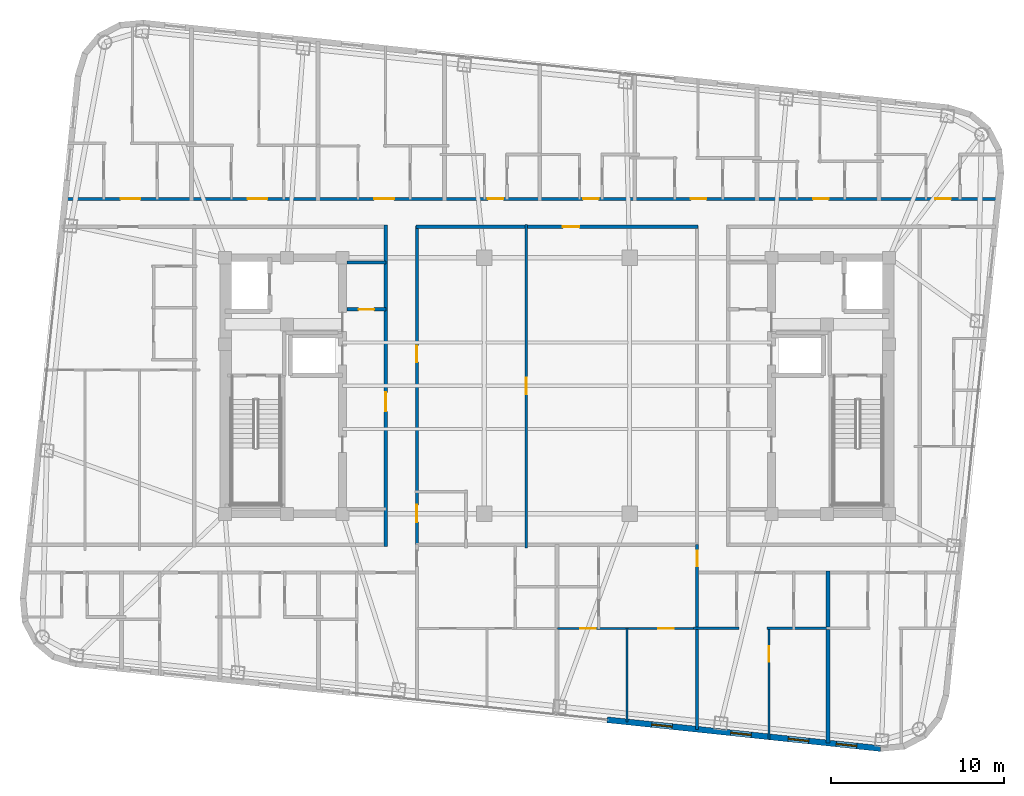
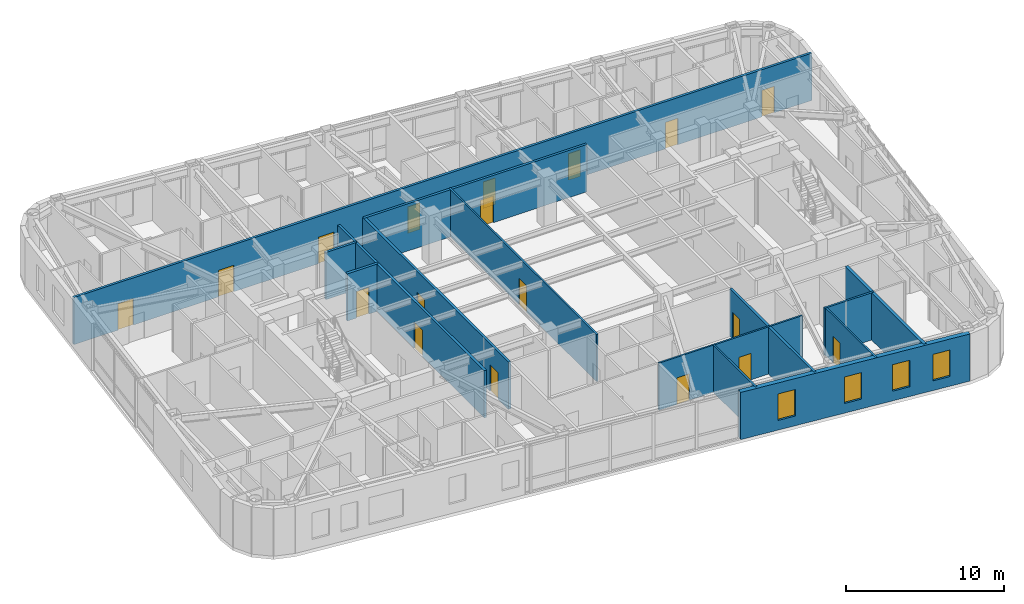
# One storey, part 17 of 23: 18 doors, 15 walls, 4 windows, 22 openings.
"""IFC4 building model written with IfcOpenShell, lengths in metres."""

from ifc_helpers import new_model, si_unit, direction, frame, frame_2d, origin, place, context, subcontext, project, spatial, rectangle, extrude, material, layer, layer_set, type_object, element, fill, save


model = new_model("IFC4")

# Units and contexts
model_context = context("Model", 3, precision=1e-05, world=origin(), true_north=direction((0.0, 1.0)))
body_context = subcontext(model_context, "Body", "Model", "MODEL_VIEW")
ifc_project = project(units=[si_unit("LENGTHUNIT", "METRE"), si_unit("AREAUNIT", "SQUARE_METRE"), si_unit("VOLUMEUNIT", "CUBIC_METRE"), si_unit("PLANEANGLEUNIT", "RADIAN"), si_unit("MASSUNIT", "GRAM", prefix="KILO")], contexts=[model_context])

# Site, building, storey
site_placement = place(None, origin())
site = spatial("IfcSite", under=ifc_project, at=site_placement, CompositionType="ELEMENT")
building_placement = place(site_placement, origin())
building = spatial("IfcBuilding", under=site, at=building_placement, Name="Voryun Gate Residences", CompositionType="ELEMENT")
storey_placement = place(building_placement, frame((0.0, 0.0, 275.60009765625)))
storey = spatial("IfcBuildingStorey", under=building, at=storey_placement, Name="L68", CompositionType="ELEMENT", Elevation=275.60009765625)

# Wall
ifc_material_1 = material(Name="Gypsum acoustic fireboard")
ifc_layer_1 = layer(ifc_material_1, 0.179931640625, Name="W_CORR_RATED_180")
ifc_layer_set_1 = layer_set([ifc_layer_1], Name="Gypsum acoustic fireboard")
wall_type_1 = type_object("IfcWallType", Name="W_CORR_RATED_180", PredefinedType="PARTITIONING", material=ifc_layer_set_1)
wall_1_placement = place(storey_placement, frame((-12.14990234375, 7.1201171875, 0.0), z_axis=(0.0, 0.0, 1.0), x_axis=(1.0, 0.0, 0.0)))
element("IfcWall", 1, at=wall_1_placement, inside=storey, type_object=wall_type_1, Name="Partition wall WP-L68-PLBN-W", PredefinedType="PARTITIONING", context=body_context, shape_type="SweptSolid", body=[
    extrude(rectangle(XDim=2.27001953125, YDim=0.179931640625, at=frame_2d((1.135009765625, 0.0))), origin(), (0.0, 0.0, 1.0), 3.64990234375),
])

# Wall, opening, door
wall_2_placement = place(storey_placement, frame((-9.89990234375, -9.280029296875, 0.0), z_axis=(0.0, 0.0, 1.0), x_axis=(0.0, 1.0, 0.0)))
wall_2 = element("IfcWall", 2, at=wall_2_placement, inside=storey, type_object=wall_type_1, Name="Partition wall WP-L68-PLBW-FULL", PredefinedType="PARTITIONING", context=body_context, shape_type="SweptSolid", body=[
    extrude(rectangle(XDim=18.56005859375, YDim=0.179931640625, at=frame_2d((9.280029296875, 0.0))), origin(), (0.0, 0.0, 1.0), 3.64990234375),
])
opening_1_placement = place(wall_2_placement, frame((7.802001953125, 0.0, 0.0)))
opening_1 = element("IfcOpeningElement", 3, at=opening_1_placement, cuts=wall_2, Name="Opening D-FD60-2", PredefinedType="OPENING", context=body_context, shape_type="SweptSolid", body=[
    extrude(rectangle(XDim=1.10009765625, YDim=2.050048828125, at=frame_2d((0.550048828125, 1.02490234375))), frame((0.0, 0.099853515625, 0.0), z_axis=(0.0, -1.0, 0.0), x_axis=(1.0, 0.0, 0.0)), (0.0, 0.0, 1.0), 0.199951171875),
])
ifc_material_2 = material(Name="Painted steel fire door", Category="steel")
door_type_1 = type_object("IfcDoorType", Name="DR_FD60_FFLOB_1100", OperationType="NOTDEFINED", PredefinedType="DOOR", material=ifc_material_2)
door_1_placement = place(opening_1_placement, origin())
door_1 = element("IfcDoor", 4, at=door_1_placement, inside=storey, type_object=door_type_1, Name="Door DR-L68-PLBW-COR", OperationType="SINGLE_SWING_LEFT", OverallHeight=2.050048828125, OverallWidth=1.10009765625, PredefinedType="DOOR", context=body_context, shape_type="SweptSolid", body=[
    extrude(rectangle(XDim=1.10009765625, YDim=2.050048828125, at=frame_2d((0.550048828125, 1.02490234375))), frame((0.0, 0.02490234375, 0.0), z_axis=(0.0, -1.0, 0.0), x_axis=(1.0, 0.0, 0.0)), (0.0, 0.0, 1.0), 0.050048828125),
])
fill(opening_1, door_1)

wall_3_placement = place(storey_placement, frame((-8.14990234375, 9.18994140625, 0.0), z_axis=(0.0, 0.0, 1.0), x_axis=(1.0, 0.0, 0.0)))
wall_3 = element("IfcWall", 5, at=wall_3_placement, inside=storey, type_object=wall_type_1, Name="Partition wall WP-L68-Z3N", PredefinedType="PARTITIONING", context=body_context, shape_type="SweptSolid", body=[
    extrude(rectangle(XDim=16.2998046875, YDim=0.179931640625, at=frame_2d((8.14990234375, 0.0))), origin(), (0.0, 0.0, 1.0), 3.64990234375),
])
opening_2_placement = place(wall_3_placement, frame((8.489990234375, 0.0, 0.0)))
opening_2 = element("IfcOpeningElement", 6, at=opening_2_placement, cuts=wall_3, Name="Opening D-INT-1", PredefinedType="OPENING", context=body_context, shape_type="SweptSolid", body=[
    extrude(rectangle(XDim=0.949951171875, YDim=2.050048828125, at=frame_2d((0.47509765625, 1.02490234375))), frame((0.0, 0.099853515625, 0.0), z_axis=(0.0, -1.0, 0.0), x_axis=(1.0, 0.0, 0.0)), (0.0, 0.0, 1.0), 0.199951171875),
])
ifc_material_3 = material(Name="Architectural oak veneer")
door_type_2 = type_object("IfcDoorType", Name="DR_INT_ROOM_950", OperationType="NOTDEFINED", PredefinedType="DOOR", material=ifc_material_3)
door_2_placement = place(opening_2_placement, origin())
door_2 = element("IfcDoor", 7, at=door_2_placement, inside=storey, type_object=door_type_2, Name="Door DR-L68-CMIDZ3N", OperationType="SINGLE_SWING_LEFT", OverallHeight=2.050048828125, OverallWidth=0.949951171875, PredefinedType="DOOR", context=body_context, shape_type="SweptSolid", body=[
    extrude(rectangle(XDim=0.949951171875, YDim=2.050048828125, at=frame_2d((0.47509765625, 1.02490234375))), frame((0.0, 0.02490234375, 0.0), z_axis=(0.0, -1.0, 0.0), x_axis=(1.0, 0.0, 0.0)), (0.0, 0.0, 1.0), 0.050048828125),
])
fill(opening_2, door_2)

# Wall, openings, doors
wall_4_placement = place(storey_placement, frame((-8.10009765625, -9.22998046875, 0.0), z_axis=(0.0, 0.0, 1.0), x_axis=(0.0, 1.0, 0.0)))
wall_4 = element("IfcWall", 8, at=wall_4_placement, inside=storey, type_object=wall_type_1, Name="Partition wall WP-L68-Z3W", PredefinedType="PARTITIONING", context=body_context, shape_type="SweptSolid", body=[
    extrude(rectangle(XDim=18.4599609375, YDim=0.179931640625, at=frame_2d((9.22998046875, 0.0))), origin(), (0.0, 0.0, 1.0), 3.64990234375),
])
opening_3_placement = place(wall_4_placement, frame((1.345947265625, 0.0, 0.0)))
opening_3 = element("IfcOpeningElement", 9, at=opening_3_placement, cuts=wall_4, Name="Opening D-AWC-1", PredefinedType="OPENING", context=body_context, shape_type="SweptSolid", body=[
    extrude(rectangle(XDim=1.0, YDim=2.050048828125, at=frame_2d((0.5, 1.02490234375))), frame((0.0, 0.099853515625, 0.0), z_axis=(0.0, -1.0, 0.0), x_axis=(1.0, 0.0, 0.0)), (0.0, 0.0, 1.0), 0.199951171875),
])
opening_4_placement = place(wall_4_placement, frame((10.60107421875, 0.0, 0.0)))
opening_4 = element("IfcOpeningElement", 10, at=opening_4_placement, cuts=wall_4, Name="Opening D-INT-1", PredefinedType="OPENING", context=body_context, shape_type="SweptSolid", body=[
    extrude(rectangle(XDim=0.949951171875, YDim=2.050048828125, at=frame_2d((0.47509765625, 1.02490234375))), frame((0.0, 0.099853515625, 0.0), z_axis=(0.0, -1.0, 0.0), x_axis=(1.0, 0.0, 0.0)), (0.0, 0.0, 1.0), 0.199951171875),
])
ifc_material_4 = material(Name="Architectural oak veneer")
door_type_3 = type_object("IfcDoorType", Name="DR_ACC_WC_1000", OperationType="NOTDEFINED", PredefinedType="DOOR", material=ifc_material_4)
door_3_placement = place(opening_3_placement, origin())
door_3 = element("IfcDoor", 11, at=door_3_placement, inside=storey, type_object=door_type_3, Name="Door DR-L68-CMWC-D", OperationType="SINGLE_SWING_LEFT", OverallHeight=2.050048828125, OverallWidth=1.0, PredefinedType="DOOR", context=body_context, shape_type="SweptSolid", body=[
    extrude(rectangle(XDim=1.0, YDim=2.050048828125, at=frame_2d((0.5, 1.02490234375))), frame((0.0, 0.02490234375, 0.0), z_axis=(0.0, -1.0, 0.0), x_axis=(1.0, 0.0, 0.0)), (0.0, 0.0, 1.0), 0.050048828125),
])
fill(opening_3, door_3)
door_4_placement = place(opening_4_placement, origin())
door_4 = element("IfcDoor", 12, at=door_4_placement, inside=storey, type_object=door_type_2, Name="Door DR-L68-CMIDZ3W", OperationType="SINGLE_SWING_RIGHT", OverallHeight=2.050048828125, OverallWidth=0.949951171875, PredefinedType="DOOR", context=body_context, shape_type="SweptSolid", body=[
    extrude(rectangle(XDim=0.949951171875, YDim=2.050048828125, at=frame_2d((0.47509765625, 1.02490234375))), frame((0.0, 0.02490234375, 0.0), z_axis=(0.0, -1.0, 0.0), x_axis=(1.0, 0.0, 0.0)), (0.0, 0.0, 1.0), 0.050048828125),
])
fill(opening_4, door_4)

wall_5_placement = place(storey_placement, frame((-28.442626953125, 10.800048828125, 0.0), z_axis=(0.0, 0.0, 1.0), x_axis=(1.0, 0.0, 0.0)))
wall_5 = element("IfcWall", 13, at=wall_5_placement, inside=storey, type_object=wall_type_1, Name="Partition wall WP-L68-NCORR", PredefinedType="PARTITIONING", context=body_context, shape_type="SweptSolid", body=[
    extrude(rectangle(XDim=53.95556640625, YDim=0.179931640625, at=frame_2d((26.977783203125, 0.0))), origin(), (0.0, 0.0, 1.0), 3.64990234375),
])
opening_5_placement = place(wall_5_placement, frame((3.212646484375, 0.0, 0.0)))
opening_5 = element("IfcOpeningElement", 14, at=opening_5_placement, cuts=wall_5, Name="Opening D-UNIT-1", PredefinedType="OPENING", context=body_context, shape_type="SweptSolid", body=[
    extrude(rectangle(XDim=1.14990234375, YDim=2.050048828125, at=frame_2d((0.574951171875, 1.02490234375))), frame((0.0, 0.099853515625, 0.0), z_axis=(0.0, -1.0, 0.0), x_axis=(1.0, 0.0, 0.0)), (0.0, 0.0, 1.0), 0.199951171875),
])
opening_6_placement = place(wall_5_placement, frame((10.555908203125, 0.0, 0.0)))
opening_6 = element("IfcOpeningElement", 15, at=opening_6_placement, cuts=wall_5, Name="Opening D-UNIT-1", PredefinedType="OPENING", context=body_context, shape_type="SweptSolid", body=[
    extrude(rectangle(XDim=1.14990234375, YDim=2.050048828125, at=frame_2d((0.574951171875, 1.02490234375))), frame((0.0, 0.099853515625, 0.0), z_axis=(0.0, -1.0, 0.0), x_axis=(1.0, 0.0, 0.0)), (0.0, 0.0, 1.0), 0.199951171875),
])
opening_7_placement = place(wall_5_placement, frame((17.872314453125, 0.0, 0.0)))
opening_7 = element("IfcOpeningElement", 16, at=opening_7_placement, cuts=wall_5, Name="Opening D-UNIT-1", PredefinedType="OPENING", context=body_context, shape_type="SweptSolid", body=[
    extrude(rectangle(XDim=1.14990234375, YDim=2.050048828125, at=frame_2d((0.574951171875, 1.02490234375))), frame((0.0, 0.099853515625, 0.0), z_axis=(0.0, -1.0, 0.0), x_axis=(1.0, 0.0, 0.0)), (0.0, 0.0, 1.0), 0.199951171875),
])
opening_8_placement = place(wall_5_placement, frame((24.450439453125, 0.0, 0.0)))
opening_8 = element("IfcOpeningElement", 17, at=opening_8_placement, cuts=wall_5, Name="Opening D-INT-2", PredefinedType="OPENING", context=body_context, shape_type="SweptSolid", body=[
    extrude(rectangle(XDim=0.89990234375, YDim=2.050048828125, at=frame_2d((0.449951171875, 1.02490234375))), frame((0.0, 0.099853515625, 0.0), z_axis=(0.0, -1.0, 0.0), x_axis=(1.0, 0.0, 0.0)), (0.0, 0.0, 1.0), 0.199951171875),
])
opening_9_placement = place(wall_5_placement, frame((29.9541015625, 0.0, 0.0)))
opening_9 = element("IfcOpeningElement", 18, at=opening_9_placement, cuts=wall_5, Name="Opening D-INT-2", PredefinedType="OPENING", context=body_context, shape_type="SweptSolid", body=[
    extrude(rectangle(XDim=0.89990234375, YDim=2.050048828125, at=frame_2d((0.449951171875, 1.02490234375))), frame((0.0, 0.099853515625, 0.0), z_axis=(0.0, -1.0, 0.0), x_axis=(1.0, 0.0, 0.0)), (0.0, 0.0, 1.0), 0.199951171875),
])
opening_10_placement = place(wall_5_placement, frame((36.185791015625, 0.0, 0.0)))
opening_10 = element("IfcOpeningElement", 19, at=opening_10_placement, cuts=wall_5, Name="Opening D-INT-2", PredefinedType="OPENING", context=body_context, shape_type="SweptSolid", body=[
    extrude(rectangle(XDim=0.89990234375, YDim=2.050048828125, at=frame_2d((0.449951171875, 1.02490234375))), frame((0.0, 0.099853515625, 0.0), z_axis=(0.0, -1.0, 0.0), x_axis=(1.0, 0.0, 0.0)), (0.0, 0.0, 1.0), 0.199951171875),
])
opening_11_placement = place(wall_5_placement, frame((43.24853515625, 0.0, 0.0)))
opening_11 = element("IfcOpeningElement", 20, at=opening_11_placement, cuts=wall_5, Name="Opening D-INT-2", PredefinedType="OPENING", context=body_context, shape_type="SweptSolid", body=[
    extrude(rectangle(XDim=0.89990234375, YDim=2.050048828125, at=frame_2d((0.449951171875, 1.02490234375))), frame((0.0, 0.099853515625, 0.0), z_axis=(0.0, -1.0, 0.0), x_axis=(1.0, 0.0, 0.0)), (0.0, 0.0, 1.0), 0.199951171875),
])
opening_12_placement = place(wall_5_placement, frame((50.311279296875, 0.0, 0.0)))
opening_12 = element("IfcOpeningElement", 21, at=opening_12_placement, cuts=wall_5, Name="Opening D-INT-2", PredefinedType="OPENING", context=body_context, shape_type="SweptSolid", body=[
    extrude(rectangle(XDim=0.89990234375, YDim=2.050048828125, at=frame_2d((0.449951171875, 1.02490234375))), frame((0.0, 0.099853515625, 0.0), z_axis=(0.0, -1.0, 0.0), x_axis=(1.0, 0.0, 0.0)), (0.0, 0.0, 1.0), 0.199951171875),
])
ifc_material_5 = material(Name="Architectural oak veneer")
door_type_4 = type_object("IfcDoorType", Name="DR_INT_BATH_900", OperationType="NOTDEFINED", PredefinedType="DOOR", material=ifc_material_5)
door_5_placement = place(opening_8_placement, origin())
door_5 = element("IfcDoor", 22, at=door_5_placement, inside=storey, type_object=door_type_4, Name="Door DR-L68-NENT-4", OperationType="SINGLE_SWING_RIGHT", OverallHeight=2.050048828125, OverallWidth=0.89990234375, PredefinedType="DOOR", context=body_context, shape_type="SweptSolid", body=[
    extrude(rectangle(XDim=0.89990234375, YDim=2.050048828125, at=frame_2d((0.449951171875, 1.02490234375))), frame((0.0, 0.02490234375, 0.0), z_axis=(0.0, -1.0, 0.0), x_axis=(1.0, 0.0, 0.0)), (0.0, 0.0, 1.0), 0.050048828125),
])
fill(opening_8, door_5)
door_6_placement = place(opening_9_placement, origin())
door_6 = element("IfcDoor", 23, at=door_6_placement, inside=storey, type_object=door_type_4, Name="Door DR-L68-NENT-5", OperationType="SINGLE_SWING_LEFT", OverallHeight=2.050048828125, OverallWidth=0.89990234375, PredefinedType="DOOR", context=body_context, shape_type="SweptSolid", body=[
    extrude(rectangle(XDim=0.89990234375, YDim=2.050048828125, at=frame_2d((0.449951171875, 1.02490234375))), frame((0.0, 0.02490234375, 0.0), z_axis=(0.0, -1.0, 0.0), x_axis=(1.0, 0.0, 0.0)), (0.0, 0.0, 1.0), 0.050048828125),
])
fill(opening_9, door_6)
door_7_placement = place(opening_10_placement, origin())
door_7 = element("IfcDoor", 24, at=door_7_placement, inside=storey, type_object=door_type_4, Name="Door DR-L68-NENT-6", OperationType="SINGLE_SWING_RIGHT", OverallHeight=2.050048828125, OverallWidth=0.89990234375, PredefinedType="DOOR", context=body_context, shape_type="SweptSolid", body=[
    extrude(rectangle(XDim=0.89990234375, YDim=2.050048828125, at=frame_2d((0.449951171875, 1.02490234375))), frame((0.0, 0.02490234375, 0.0), z_axis=(0.0, -1.0, 0.0), x_axis=(1.0, 0.0, 0.0)), (0.0, 0.0, 1.0), 0.050048828125),
])
fill(opening_10, door_7)
door_8_placement = place(opening_11_placement, origin())
door_8 = element("IfcDoor", 25, at=door_8_placement, inside=storey, type_object=door_type_4, Name="Door DR-L68-NENT-7", OperationType="SINGLE_SWING_LEFT", OverallHeight=2.050048828125, OverallWidth=0.89990234375, PredefinedType="DOOR", context=body_context, shape_type="SweptSolid", body=[
    extrude(rectangle(XDim=0.89990234375, YDim=2.050048828125, at=frame_2d((0.449951171875, 1.02490234375))), frame((0.0, 0.02490234375, 0.0), z_axis=(0.0, -1.0, 0.0), x_axis=(1.0, 0.0, 0.0)), (0.0, 0.0, 1.0), 0.050048828125),
])
fill(opening_11, door_8)
door_9_placement = place(opening_12_placement, origin())
door_9 = element("IfcDoor", 26, at=door_9_placement, inside=storey, type_object=door_type_4, Name="Door DR-L68-NENT-8", OperationType="SINGLE_SWING_RIGHT", OverallHeight=2.050048828125, OverallWidth=0.89990234375, PredefinedType="DOOR", context=body_context, shape_type="SweptSolid", body=[
    extrude(rectangle(XDim=0.89990234375, YDim=2.050048828125, at=frame_2d((0.449951171875, 1.02490234375))), frame((0.0, 0.02490234375, 0.0), z_axis=(0.0, -1.0, 0.0), x_axis=(1.0, 0.0, 0.0)), (0.0, 0.0, 1.0), 0.050048828125),
])
fill(opening_12, door_9)
ifc_material_6 = material(Name="Armoured timber-clad fire door", Category="wood")
door_type_5 = type_object("IfcDoorType", Name="DR_UNIT_ENTRY_1150", OperationType="NOTDEFINED", PredefinedType="DOOR", material=ifc_material_6)
door_10_placement = place(opening_5_placement, origin())
door_10 = element("IfcDoor", 27, at=door_10_placement, inside=storey, type_object=door_type_5, Name="Door DR-L68-NENT-1", OperationType="SINGLE_SWING_LEFT", OverallHeight=2.050048828125, OverallWidth=1.14990234375, PredefinedType="DOOR", context=body_context, shape_type="SweptSolid", body=[
    extrude(rectangle(XDim=1.14990234375, YDim=2.050048828125, at=frame_2d((0.574951171875, 1.02490234375))), frame((0.0, 0.02490234375, 0.0), z_axis=(0.0, -1.0, 0.0), x_axis=(1.0, 0.0, 0.0)), (0.0, 0.0, 1.0), 0.050048828125),
])
fill(opening_5, door_10)
door_11_placement = place(opening_6_placement, origin())
door_11 = element("IfcDoor", 28, at=door_11_placement, inside=storey, type_object=door_type_5, Name="Door DR-L68-NENT-2", OperationType="SINGLE_SWING_RIGHT", OverallHeight=2.050048828125, OverallWidth=1.14990234375, PredefinedType="DOOR", context=body_context, shape_type="SweptSolid", body=[
    extrude(rectangle(XDim=1.14990234375, YDim=2.050048828125, at=frame_2d((0.574951171875, 1.02490234375))), frame((0.0, 0.02490234375, 0.0), z_axis=(0.0, -1.0, 0.0), x_axis=(1.0, 0.0, 0.0)), (0.0, 0.0, 1.0), 0.050048828125),
])
fill(opening_6, door_11)
door_12_placement = place(opening_7_placement, origin())
door_12 = element("IfcDoor", 29, at=door_12_placement, inside=storey, type_object=door_type_5, Name="Door DR-L68-NENT-3", OperationType="SINGLE_SWING_LEFT", OverallHeight=2.050048828125, OverallWidth=1.14990234375, PredefinedType="DOOR", context=body_context, shape_type="SweptSolid", body=[
    extrude(rectangle(XDim=1.14990234375, YDim=2.050048828125, at=frame_2d((0.574951171875, 1.02490234375))), frame((0.0, 0.02490234375, 0.0), z_axis=(0.0, -1.0, 0.0), x_axis=(1.0, 0.0, 0.0)), (0.0, 0.0, 1.0), 0.050048828125),
])
fill(opening_7, door_12)

# Wall, opening, door
wall_6_placement = place(storey_placement, frame((8.10009765625, -19.857177734375, 0.0), z_axis=(0.0, 0.0, 1.0), x_axis=(0.0, 1.0, 0.0)))
wall_6 = element("IfcWall", 30, at=wall_6_placement, inside=storey, type_object=wall_type_1, Name="Partition wall WP-L68-SZV-2", PredefinedType="PARTITIONING", context=body_context, shape_type="SweptSolid", body=[
    extrude(rectangle(XDim=10.667236328125, YDim=0.179931640625, at=frame_2d((5.33349609375, 0.0))), origin(), (0.0, 0.0, 1.0), 3.64990234375),
])
opening_13_placement = place(wall_6_placement, frame((9.417236328125, 0.0, 0.0)))
opening_13 = element("IfcOpeningElement", 31, at=opening_13_placement, cuts=wall_6, Name="Opening D-INT-2", PredefinedType="OPENING", context=body_context, shape_type="SweptSolid", body=[
    extrude(rectangle(XDim=0.89990234375, YDim=2.050048828125, at=frame_2d((0.449951171875, 1.02490234375))), frame((0.0, 0.099853515625, 0.0), z_axis=(0.0, -1.0, 0.0), x_axis=(1.0, 0.0, 0.0)), (0.0, 0.0, 1.0), 0.199951171875),
])
door_13_placement = place(opening_13_placement, origin())
door_13 = element("IfcDoor", 32, at=door_13_placement, inside=storey, type_object=door_type_4, Name="Door DR-L68-SZENT-2", OperationType="SINGLE_SWING_RIGHT", OverallHeight=2.050048828125, OverallWidth=0.89990234375, PredefinedType="DOOR", context=body_context, shape_type="SweptSolid", body=[
    extrude(rectangle(XDim=0.89990234375, YDim=2.050048828125, at=frame_2d((0.449951171875, 1.02490234375))), frame((0.0, 0.02490234375, 0.0), z_axis=(0.0, -1.0, 0.0), x_axis=(1.0, 0.0, 0.0)), (0.0, 0.0, 1.0), 0.050048828125),
])
fill(opening_13, door_13)

# Wall, openings, windows
ifc_material_7 = material(Name="Charcoal terracotta masonry", Category="masonry")
ifc_layer_2 = layer(ifc_material_7, 0.340087890625, Name="W_EXT_TERRACOTTA_340")
ifc_layer_set_2 = layer_set([ifc_layer_2], Name="Charcoal terracotta masonry")
wall_type_2 = type_object("IfcWallType", Name="W_EXT_TERRACOTTA_340", PredefinedType="ELEMENTEDWALL", material=ifc_layer_set_2)
wall_7_placement = place(storey_placement, frame((18.707763671875, -20.97216796875, 0.0), z_axis=(0.0, 0.0, 1.0), x_axis=(-0.994521594531, 0.104531325504, 0.0)))
wall_7 = element("IfcWall", 33, at=wall_7_placement, inside=storey, type_object=wall_type_2, Name="Exterior wall WEXT-L68-01A", PredefinedType="ELEMENTEDWALL", context=body_context, shape_type="SweptSolid", body=[
    extrude(rectangle(XDim=15.900634765625, YDim=0.340087890625, at=frame_2d((7.9501953125, 0.0))), origin(), (0.0, 0.0, 1.0), 3.64990234375),
])
opening_14_placement = place(wall_7_placement, frame((7.510009765625, 0.0, 0.75)))
opening_14 = element("IfcOpeningElement", 34, at=opening_14_placement, cuts=wall_7, Name="Opening WN6", PredefinedType="OPENING", context=body_context, shape_type="SweptSolid", body=[
    extrude(rectangle(XDim=1.199951171875, YDim=2.050048828125, at=frame_2d((0.60009765625, 1.02490234375))), frame((0.0, 0.179931640625, 0.0), z_axis=(0.0, -1.0, 0.0), x_axis=(1.0, 0.0, 0.0)), (0.0, 0.0, 1.0), 0.360107421875),
])
opening_15_placement = place(wall_7_placement, frame((4.17724609375, 0.0, 0.75)))
opening_15 = element("IfcOpeningElement", 35, at=opening_15_placement, cuts=wall_7, Name="Opening WN6", PredefinedType="OPENING", context=body_context, shape_type="SweptSolid", body=[
    extrude(rectangle(XDim=1.199951171875, YDim=2.050048828125, at=frame_2d((0.60009765625, 1.02490234375))), frame((0.0, 0.179931640625, 0.0), z_axis=(0.0, -1.0, 0.0), x_axis=(1.0, 0.0, 0.0)), (0.0, 0.0, 1.0), 0.360107421875),
])
opening_16_placement = place(wall_7_placement, frame((1.377685546875, 0.0, 0.75)))
opening_16 = element("IfcOpeningElement", 36, at=opening_16_placement, cuts=wall_7, Name="Opening WN6", PredefinedType="OPENING", context=body_context, shape_type="SweptSolid", body=[
    extrude(rectangle(XDim=1.199951171875, YDim=2.050048828125, at=frame_2d((0.60009765625, 1.02490234375))), frame((0.0, 0.179931640625, 0.0), z_axis=(0.0, -1.0, 0.0), x_axis=(1.0, 0.0, 0.0)), (0.0, 0.0, 1.0), 0.360107421875),
])
opening_17_placement = place(wall_7_placement, frame((12.109619140625, 0.0, 0.75)))
opening_17 = element("IfcOpeningElement", 37, at=opening_17_placement, cuts=wall_7, Name="Opening WN6", PredefinedType="OPENING", context=body_context, shape_type="SweptSolid", body=[
    extrude(rectangle(XDim=1.199951171875, YDim=2.050048828125, at=frame_2d((0.60009765625, 1.02490234375))), frame((0.0, 0.179931640625, 0.0), z_axis=(0.0, -1.0, 0.0), x_axis=(1.0, 0.0, 0.0)), (0.0, 0.0, 1.0), 0.360107421875),
])
ifc_material_8 = material(Name="Laminated low-E glass", Category="glass")
window_type = type_object("IfcWindowType", Name="WN_POD_SLOT_1200", PartitioningType="SINGLE_PANEL", PredefinedType="WINDOW", material=ifc_material_8)
window_1_placement = place(opening_14_placement, origin())
window_1 = element("IfcWindow", 38, at=window_1_placement, inside=storey, type_object=window_type, Name="Window WN-L68-DWFIX-14", OverallHeight=2.050048828125, OverallWidth=1.199951171875, PartitioningType="SINGLE_PANEL", PredefinedType="WINDOW", context=body_context, shape_type="SweptSolid", body=[
    extrude(rectangle(XDim=1.199951171875, YDim=2.050048828125, at=frame_2d((0.60009765625, 1.02490234375))), frame((0.0, 0.030029296875, 0.0), z_axis=(0.0, -1.0, 0.0), x_axis=(1.0, 0.0, 0.0)), (0.0, 0.0, 1.0), 0.06005859375),
])
fill(opening_14, window_1)
window_2_placement = place(opening_15_placement, origin())
window_2 = element("IfcWindow", 39, at=window_2_placement, inside=storey, type_object=window_type, Name="Window WN-L68-DWFIX-15", OverallHeight=2.050048828125, OverallWidth=1.199951171875, PartitioningType="SINGLE_PANEL", PredefinedType="WINDOW", context=body_context, shape_type="SweptSolid", body=[
    extrude(rectangle(XDim=1.199951171875, YDim=2.050048828125, at=frame_2d((0.60009765625, 1.02490234375))), frame((0.0, 0.030029296875, 0.0), z_axis=(0.0, -1.0, 0.0), x_axis=(1.0, 0.0, 0.0)), (0.0, 0.0, 1.0), 0.06005859375),
])
fill(opening_15, window_2)
window_3_placement = place(opening_16_placement, origin())
window_3 = element("IfcWindow", 40, at=window_3_placement, inside=storey, type_object=window_type, Name="Window WN-L68-DWFIX-16", OverallHeight=2.050048828125, OverallWidth=1.199951171875, PartitioningType="SINGLE_PANEL", PredefinedType="WINDOW", context=body_context, shape_type="SweptSolid", body=[
    extrude(rectangle(XDim=1.199951171875, YDim=2.050048828125, at=frame_2d((0.60009765625, 1.02490234375))), frame((0.0, 0.030029296875, 0.0), z_axis=(0.0, -1.0, 0.0), x_axis=(1.0, 0.0, 0.0)), (0.0, 0.0, 1.0), 0.06005859375),
])
fill(opening_16, window_3)
window_4_placement = place(opening_17_placement, origin())
window_4 = element("IfcWindow", 41, at=window_4_placement, inside=storey, type_object=window_type, Name="Window WN-L68-DWFIX-18", OverallHeight=2.050048828125, OverallWidth=1.199951171875, PartitioningType="SINGLE_PANEL", PredefinedType="WINDOW", context=body_context, shape_type="SweptSolid", body=[
    extrude(rectangle(XDim=1.199951171875, YDim=2.050048828125, at=frame_2d((0.60009765625, 1.02490234375))), frame((0.0, 0.030029296875, 0.0), z_axis=(0.0, -1.0, 0.0), x_axis=(1.0, 0.0, 0.0)), (0.0, 0.0, 1.0), 0.06005859375),
])
fill(opening_17, window_4)

# Wall, opening, door
ifc_material_9 = material(Name="Concrete C40/50", Category="concrete")
ifc_layer_3 = layer(ifc_material_9, 0.199951171875, Name="W_FF_LOBBY_200")
ifc_layer_set_3 = layer_set([ifc_layer_3], Name="Concrete C40/50")
wall_type_3 = type_object("IfcWallType", Name="W_FF_LOBBY_200", PredefinedType="PARTITIONING", material=ifc_layer_set_3)
wall_8_placement = place(storey_placement, frame((-12.14990234375, 4.409912109375, 0.0), z_axis=(0.0, 0.0, 1.0), x_axis=(1.0, 0.0, 0.0)))
wall_8 = element("IfcWall", 42, at=wall_8_placement, inside=storey, type_object=wall_type_3, Name="Partition wall WP-L68-CSFLKS-W", PredefinedType="PARTITIONING", context=body_context, shape_type="SweptSolid", body=[
    extrude(rectangle(XDim=2.27001953125, YDim=0.199951171875, at=frame_2d((1.135009765625, 0.0))), origin(), (0.0, 0.0, 1.0), 3.64990234375),
])
opening_18_placement = place(wall_8_placement, frame((0.68505859375, 0.0, 0.0)))
opening_18 = element("IfcOpeningElement", 43, at=opening_18_placement, cuts=wall_8, Name="Opening D-FD60-4", PredefinedType="OPENING", context=body_context, shape_type="SweptSolid", body=[
    extrude(rectangle(XDim=0.89990234375, YDim=2.050048828125, at=frame_2d((0.449951171875, 1.02490234375))), frame((0.0, 0.110107421875, 0.0), z_axis=(0.0, -1.0, 0.0), x_axis=(1.0, 0.0, 0.0)), (0.0, 0.0, 1.0), 0.219970703125),
])
ifc_material_10 = material(Name="Painted steel fire door", Category="steel")
door_type_6 = type_object("IfcDoorType", Name="DR_FD60_RISER_900", OperationType="NOTDEFINED", PredefinedType="DOOR", material=ifc_material_10)
door_14_placement = place(opening_18_placement, origin())
door_14 = element("IfcDoor", 44, at=door_14_placement, inside=storey, type_object=door_type_6, Name="Door DR-L68-CSFLK-W", OperationType="SINGLE_SWING_LEFT", OverallHeight=2.050048828125, OverallWidth=0.89990234375, PredefinedType="DOOR", context=body_context, shape_type="SweptSolid", body=[
    extrude(rectangle(XDim=0.89990234375, YDim=2.050048828125, at=frame_2d((0.449951171875, 1.02490234375))), frame((0.0, 0.02490234375, 0.0), z_axis=(0.0, -1.0, 0.0), x_axis=(1.0, 0.0, 0.0)), (0.0, 0.0, 1.0), 0.050048828125),
])
fill(opening_18, door_14)

# Wall
ifc_material_11 = material(Name="Concrete C40/50", Category="concrete")
ifc_layer_4 = layer(ifc_material_11, 0.219970703125, Name="W_PARTY_ACOUSTIC_220")
ifc_layer_set_4 = layer_set([ifc_layer_4], Name="Concrete C40/50")
wall_type_4 = type_object("IfcWallType", Name="W_PARTY_ACOUSTIC_220", PredefinedType="PARTITIONING", material=ifc_layer_set_4)
wall_9_placement = place(storey_placement, frame((15.6640625, -20.652099609375, 0.0), z_axis=(0.0, 0.0, 1.0), x_axis=(0.0, 1.0, 0.0)))
element("IfcWall", 45, at=wall_9_placement, inside=storey, type_object=wall_type_4, Name="Partition wall WP-L68-SPTY-6", PredefinedType="PARTITIONING", context=body_context, shape_type="SweptSolid", body=[
    extrude(rectangle(XDim=9.93212890625, YDim=0.219970703125, at=frame_2d((4.966064453125, 0.0))), origin(), (0.0, 0.0, 1.0), 3.64990234375),
])

# Wall, opening, door
ifc_material_12 = material(Name="Gypsum acoustic partition")
ifc_layer_5 = layer(ifc_material_12, 0.125, Name="W_UNIT_PART_125")
ifc_layer_set_5 = layer_set([ifc_layer_5], Name="Gypsum acoustic partition")
wall_type_5 = type_object("IfcWallType", Name="W_UNIT_PART_125", PredefinedType="PARTITIONING", material=ifc_layer_set_5)
wall_10_placement = place(storey_placement, frame((-1.77294921875, -9.3701171875, 0.0), z_axis=(0.0, 0.0, 1.0), x_axis=(0.0, 1.0, 0.0)))
wall_10 = element("IfcWall", 46, at=wall_10_placement, inside=storey, type_object=wall_type_5, Name="Partition wall WP-L68-MIDX-0", PredefinedType="PARTITIONING", context=body_context, shape_type="SweptSolid", body=[
    extrude(rectangle(XDim=18.690185546875, YDim=0.125, at=frame_2d((9.34521484375, 0.0))), origin(), (0.0, 0.0, 1.0), 3.64990234375),
])
opening_19_placement = place(wall_10_placement, frame((8.8701171875, 0.0, 0.0)))
opening_19 = element("IfcOpeningElement", 47, at=opening_19_placement, cuts=wall_10, Name="Opening D-INT-1", PredefinedType="OPENING", context=body_context, shape_type="SweptSolid", body=[
    extrude(rectangle(XDim=0.949951171875, YDim=2.050048828125, at=frame_2d((0.47509765625, 1.02490234375))), frame((0.0, 0.072509765625, 0.0), z_axis=(0.0, -1.0, 0.0), x_axis=(1.0, 0.0, 0.0)), (0.0, 0.0, 1.0), 0.14501953125),
])
door_15_placement = place(opening_19_placement, origin())
door_15 = element("IfcDoor", 48, at=door_15_placement, inside=storey, type_object=door_type_2, Name="Door DR-L68-MIDX-0", OperationType="SINGLE_SWING_LEFT", OverallHeight=2.050048828125, OverallWidth=0.949951171875, PredefinedType="DOOR", context=body_context, shape_type="SweptSolid", body=[
    extrude(rectangle(XDim=0.949951171875, YDim=2.050048828125, at=frame_2d((0.47509765625, 1.02490234375))), frame((0.0, 0.02490234375, 0.0), z_axis=(0.0, -1.0, 0.0), x_axis=(1.0, 0.0, 0.0)), (0.0, 0.0, 1.0), 0.050048828125),
])
fill(opening_19, door_15)

wall_11_placement = place(storey_placement, frame((12.25390625, -20.444580078125, 0.0), z_axis=(0.0, 0.0, 1.0), x_axis=(0.0, 1.0, 0.0)))
wall_11 = element("IfcWall", 49, at=wall_11_placement, inside=storey, type_object=wall_type_5, Name="Partition wall WP-L68-S6-OVR", PredefinedType="PARTITIONING", context=body_context, shape_type="SweptSolid", body=[
    extrude(rectangle(XDim=6.504638671875, YDim=0.125, at=frame_2d((3.25244140625, 0.0))), origin(), (0.0, 0.0, 1.0), 3.64990234375),
])
opening_20_placement = place(wall_11_placement, frame((4.49365234375, 0.0, 0.0)))
opening_20 = element("IfcOpeningElement", 50, at=opening_20_placement, cuts=wall_11, Name="Opening D-INT-2", PredefinedType="OPENING", context=body_context, shape_type="SweptSolid", body=[
    extrude(rectangle(XDim=0.89990234375, YDim=2.050048828125, at=frame_2d((0.449951171875, 1.02490234375))), frame((0.0, 0.072509765625, 0.0), z_axis=(0.0, -1.0, 0.0), x_axis=(1.0, 0.0, 0.0)), (0.0, 0.0, 1.0), 0.14501953125),
])
door_16_placement = place(opening_20_placement, origin())
door_16 = element("IfcDoor", 51, at=door_16_placement, inside=storey, type_object=door_type_4, Name="Door DR-L68-S6-DMB", OperationType="SINGLE_SWING_RIGHT", OverallHeight=2.050048828125, OverallWidth=0.89990234375, PredefinedType="DOOR", context=body_context, shape_type="SweptSolid", body=[
    extrude(rectangle(XDim=0.89990234375, YDim=2.050048828125, at=frame_2d((0.449951171875, 1.02490234375))), frame((0.0, 0.02490234375, 0.0), z_axis=(0.0, -1.0, 0.0), x_axis=(1.0, 0.0, 0.0)), (0.0, 0.0, 1.0), 0.050048828125),
])
fill(opening_20, door_16)

# Wall
wall_12_placement = place(storey_placement, frame((7.887451171875, -14.02001953125, 0.0), z_axis=(0.0, 0.0, 1.0), x_axis=(1.0, 0.0, 0.0)))
element("IfcWall", 52, at=wall_12_placement, inside=storey, type_object=wall_type_5, Name="Partition wall WP-L68-S6-HZK", PredefinedType="PARTITIONING", context=body_context, shape_type="SweptSolid", body=[
    extrude(rectangle(XDim=2.62255859375, YDim=0.125, at=frame_2d((1.311279296875, 0.0))), origin(), (0.0, 0.0, 1.0), 3.64990234375),
])

# Wall, openings, doors
wall_13_placement = place(storey_placement, frame((0.02001953125, -14.030029296875, 0.0), z_axis=(0.0, 0.0, 1.0), x_axis=(1.0, 0.0, 0.0)))
wall_13 = element("IfcWall", 53, at=wall_13_placement, inside=storey, type_object=wall_type_5, Name="Partition wall WP-L68-SC2-HZ", PredefinedType="PARTITIONING", context=body_context, shape_type="SweptSolid", body=[
    extrude(rectangle(XDim=7.992431640625, YDim=0.125, at=frame_2d((3.99609375, 0.0))), origin(), (0.0, 0.0, 1.0), 3.64990234375),
])
opening_21_placement = place(wall_13_placement, frame((1.3232421875, 0.0, 0.0)))
opening_21 = element("IfcOpeningElement", 54, at=opening_21_placement, cuts=wall_13, Name="Opening D-INT-2", PredefinedType="OPENING", context=body_context, shape_type="SweptSolid", body=[
    extrude(rectangle(XDim=0.89990234375, YDim=2.050048828125, at=frame_2d((0.449951171875, 1.02490234375))), frame((0.0, 0.072509765625, 0.0), z_axis=(0.0, -1.0, 0.0), x_axis=(1.0, 0.0, 0.0)), (0.0, 0.0, 1.0), 0.14501953125),
])
opening_22_placement = place(wall_13_placement, frame((5.8369140625, 0.0, 0.0)))
opening_22 = element("IfcOpeningElement", 55, at=opening_22_placement, cuts=wall_13, Name="Opening D-INT-2", PredefinedType="OPENING", context=body_context, shape_type="SweptSolid", body=[
    extrude(rectangle(XDim=0.89990234375, YDim=2.050048828125, at=frame_2d((0.449951171875, 1.02490234375))), frame((0.0, 0.072509765625, 0.0), z_axis=(0.0, -1.0, 0.0), x_axis=(1.0, 0.0, 0.0)), (0.0, 0.0, 1.0), 0.14501953125),
])
door_17_placement = place(opening_21_placement, origin())
door_17 = element("IfcDoor", 56, at=door_17_placement, inside=storey, type_object=door_type_4, Name="Door DR-L68-SC2-DMB", OperationType="SINGLE_SWING_LEFT", OverallHeight=2.050048828125, OverallWidth=0.89990234375, PredefinedType="DOOR", context=body_context, shape_type="SweptSolid", body=[
    extrude(rectangle(XDim=0.89990234375, YDim=2.050048828125, at=frame_2d((0.449951171875, 1.02490234375))), frame((0.0, 0.02490234375, 0.0), z_axis=(0.0, -1.0, 0.0), x_axis=(1.0, 0.0, 0.0)), (0.0, 0.0, 1.0), 0.050048828125),
])
fill(opening_21, door_17)
door_18_placement = place(opening_22_placement, origin())
door_18 = element("IfcDoor", 57, at=door_18_placement, inside=storey, type_object=door_type_4, Name="Door DR-L68-SC2-DBD2", OperationType="SINGLE_SWING_RIGHT", OverallHeight=2.050048828125, OverallWidth=0.89990234375, PredefinedType="DOOR", context=body_context, shape_type="SweptSolid", body=[
    extrude(rectangle(XDim=0.89990234375, YDim=2.050048828125, at=frame_2d((0.449951171875, 1.02490234375))), frame((0.0, 0.02490234375, 0.0), z_axis=(0.0, -1.0, 0.0), x_axis=(1.0, 0.0, 0.0)), (0.0, 0.0, 1.0), 0.050048828125),
])
fill(opening_22, door_18)

# Walls
wall_14_placement = place(storey_placement, frame((4.050048828125, -19.431640625, 0.0), z_axis=(0.0, 0.0, 1.0), x_axis=(0.0, 1.0, 0.0)))
element("IfcWall", 58, at=wall_14_placement, inside=storey, type_object=wall_type_5, Name="Partition wall WP-L68-SC2-VBD", PredefinedType="PARTITIONING", context=body_context, shape_type="SweptSolid", body=[
    extrude(rectangle(XDim=5.441650390625, YDim=0.125, at=frame_2d((2.720703125, 0.0))), origin(), (0.0, 0.0, 1.0), 3.64990234375),
])
ifc_material_13 = material(Name="Gypsum moisture-resistant partition")
ifc_layer_6 = layer(ifc_material_13, 0.14990234375, Name="W_WET_PLUMB_150")
ifc_layer_set_6 = layer_set([ifc_layer_6], Name="Gypsum moisture-resistant partition")
wall_type_6 = type_object("IfcWallType", Name="W_WET_PLUMB_150", PredefinedType="PLUMBINGWALL", material=ifc_layer_set_6)
wall_15_placement = place(storey_placement, frame((12.134033203125, -14.02001953125, 0.0), z_axis=(0.0, 0.0, 1.0), x_axis=(1.0, 0.0, 0.0)))
element("IfcWall", 59, at=wall_15_placement, inside=storey, type_object=wall_type_6, Name="Partition wall WP-L68-S6-HZB", PredefinedType="PLUMBINGWALL", context=body_context, shape_type="SweptSolid", body=[
    extrude(rectangle(XDim=3.60498046875, YDim=0.14990234375, at=frame_2d((1.802490234375, 0.0))), origin(), (0.0, 0.0, 1.0), 3.64990234375),
])

save(model, "model.ifc")
